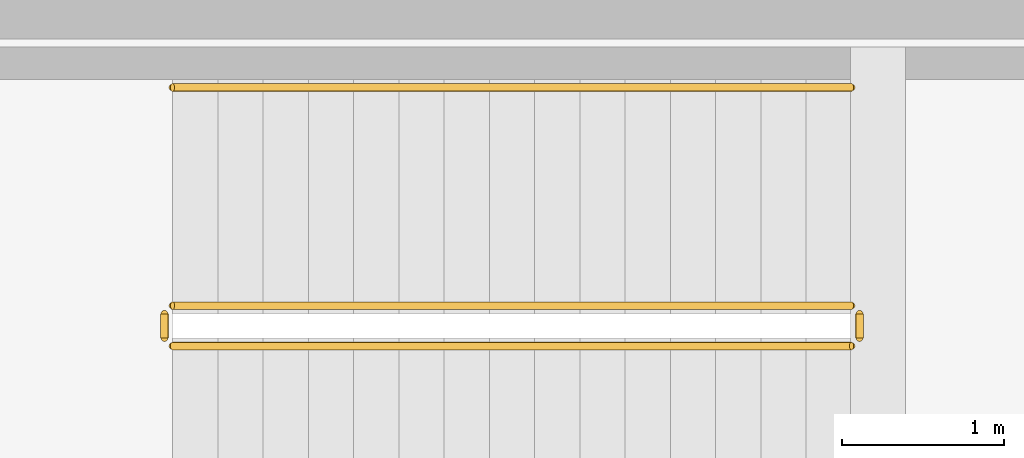
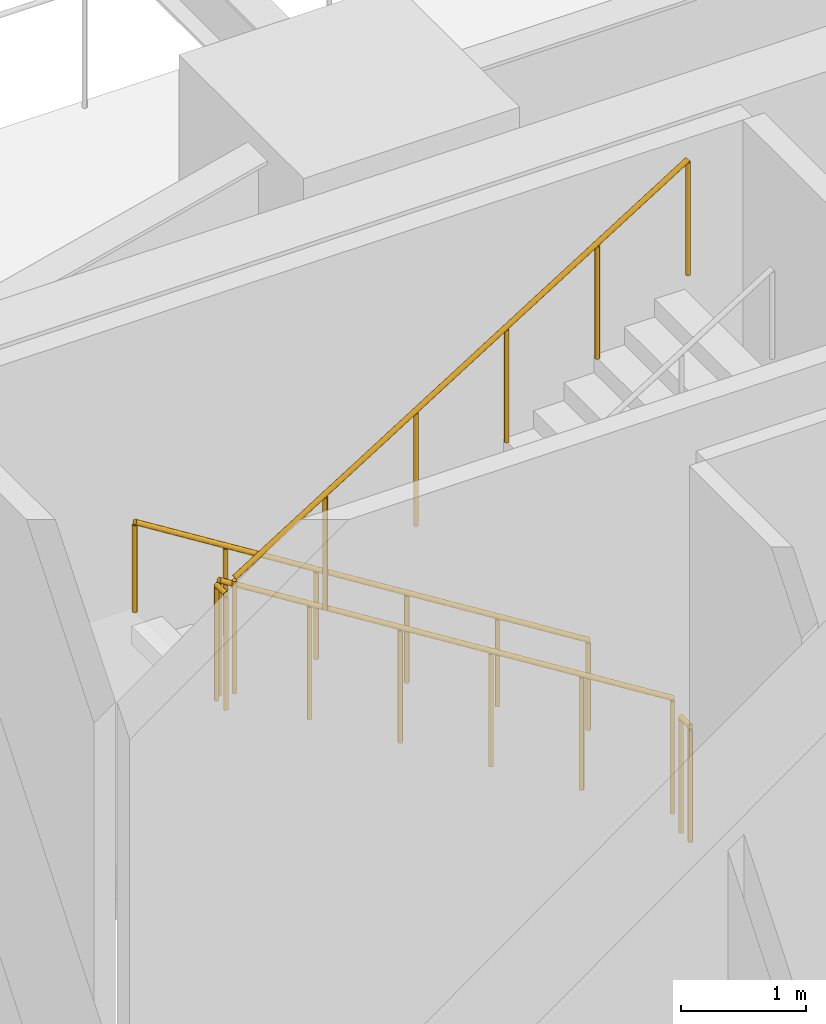
# One storey, part 7 of 8: 5 railings.
"""IFC4 building model written with IfcOpenShell, lengths in metres."""

from ifc_helpers import new_model, si_unit, direction, frame, origin, origin_2d, place, context, subcontext, project, spatial, circle, extrude, material, type_object, element, save


model = new_model("IFC4")

# Units and contexts
model_context = context("Model", 3, precision=1e-05, world=origin(), true_north=direction((0.0, 1.0)))
body_context = subcontext(model_context, "Body", "Model", "MODEL_VIEW")
ifc_project = project(units=[si_unit("LENGTHUNIT", "METRE"), si_unit("AREAUNIT", "SQUARE_METRE"), si_unit("VOLUMEUNIT", "CUBIC_METRE"), si_unit("PLANEANGLEUNIT", "RADIAN"), si_unit("MASSUNIT", "GRAM", prefix="KILO")], contexts=[model_context])

# Site, building, storey
site_placement = place(None, origin())
site = spatial("IfcSite", under=ifc_project, at=site_placement, CompositionType="ELEMENT")
building_placement = place(site_placement, origin())
building = spatial("IfcBuilding", under=site, at=building_placement, Name="Kinhvarn Gate Tower", CompositionType="ELEMENT")
storey_placement = place(building_placement, frame((0.0, 0.0, 178.050048828125)))
storey = spatial("IfcBuildingStorey", under=building, at=storey_placement, Name="L47", CompositionType="ELEMENT", Elevation=178.050048828125)

# Railings
ifc_material = material(Name="Steel S355", Category="steel")
railing_type_1 = type_object("IfcRailingType", Name="RL-ST-GRD", PredefinedType="BALUSTRADE", material=ifc_material)
railing_1_placement = place(storey_placement, frame((12.0, 34.300048828125, 0.175048828125)))
element("IfcRailing", 1, at=railing_1_placement, inside=storey, type_object=railing_type_1, Name="L47 ST2 stair guard 1", PredefinedType="BALUSTRADE", context=body_context, shape_type="SweptSolid", body=[
    extrude(circle(Radius=0.02392578125, at=origin_2d()), frame((0.0, 0.0, 1.1259765625), z_axis=(-0.847995534698, 0.0, 0.530003370869), x_axis=(0.0, -1.0, 0.0)), (0.0, 0.0, 1.0), 4.952880859375),
    extrude(circle(Radius=0.02099609375, at=origin_2d()), origin(), (0.0, 0.0, 1.0), 1.101806640625),
    extrude(circle(Radius=0.02099609375, at=origin_2d()), frame((-0.840087890625, 0.0, 0.52490234375)), (0.0, 0.0, 1.0), 1.101806640625),
    extrude(circle(Radius=0.02099609375, at=origin_2d()), frame((-1.679931640625, 0.0, 1.050048828125)), (0.0, 0.0, 1.0), 1.101806640625),
    extrude(circle(Radius=0.02099609375, at=origin_2d()), frame((-2.52001953125, 0.0, 1.574951171875)), (0.0, 0.0, 1.0), 1.101806640625),
    extrude(circle(Radius=0.02099609375, at=origin_2d()), frame((-3.35986328125, 0.0, 2.10009765625)), (0.0, 0.0, 1.0), 1.101806640625),
    extrude(circle(Radius=0.02099609375, at=origin_2d()), frame((-4.199951171875, 0.0, 2.625)), (0.0, 0.0, 1.0), 1.101806640625),
])
railing_2_placement = place(storey_placement, frame((7.75, 34.25, 2.800048828125)))
element("IfcRailing", 2, at=railing_2_placement, inside=storey, type_object=railing_type_1, Name="L47 ST2 stair guard 2", PredefinedType="BALUSTRADE", context=body_context, shape_type="SweptSolid", body=[
    extrude(circle(Radius=0.02392578125, at=origin_2d()), frame((0.0, 0.0, 1.1259765625), z_axis=(0.0, -1.0, 0.0), x_axis=(1.0, 0.0, 0.0)), (0.0, 0.0, 1.0), 0.14990234375),
    extrude(circle(Radius=0.02099609375, at=origin_2d()), origin(), (0.0, 0.0, 1.0), 1.101806640625),
    extrude(circle(Radius=0.02099609375, at=origin_2d()), frame((0.0, -0.14990234375, 0.0)), (0.0, 0.0, 1.0), 1.101806640625),
])
railing_3_placement = place(storey_placement, frame((7.800048828125, 34.050048828125, 2.974853515625)))
element("IfcRailing", 3, at=railing_3_placement, inside=storey, type_object=railing_type_1, Name="L47 ST2 stair guard 3", PredefinedType="BALUSTRADE", context=body_context, shape_type="SweptSolid", body=[
    extrude(circle(Radius=0.02392578125, at=origin_2d()), frame((0.0, 0.0, 1.1259765625), z_axis=(0.847995534698, 0.0, 0.530003370869), x_axis=(0.0, 1.0, 0.0)), (0.0, 0.0, 1.0), 4.952880859375),
    extrude(circle(Radius=0.02099609375, at=origin_2d()), origin(), (0.0, 0.0, 1.0), 1.101806640625),
    extrude(circle(Radius=0.02099609375, at=origin_2d()), frame((0.840087890625, 0.0, 0.52490234375)), (0.0, 0.0, 1.0), 1.101806640625),
    extrude(circle(Radius=0.02099609375, at=origin_2d()), frame((1.679931640625, 0.0, 1.050048828125)), (0.0, 0.0, 1.0), 1.101806640625),
    extrude(circle(Radius=0.02099609375, at=origin_2d()), frame((2.52001953125, 0.0, 1.574951171875)), (0.0, 0.0, 1.0), 1.101806640625),
    extrude(circle(Radius=0.02099609375, at=origin_2d()), frame((3.35986328125, 0.0, 2.10009765625)), (0.0, 0.0, 1.0), 1.101806640625),
    extrude(circle(Radius=0.02099609375, at=origin_2d()), frame((4.199951171875, 0.0, 2.625)), (0.0, 0.0, 1.0), 1.101806640625),
])
railing_4_placement = place(storey_placement, frame((12.050048828125, 34.25, 0.0)))
element("IfcRailing", 4, at=railing_4_placement, inside=storey, type_object=railing_type_1, Name="L47 ST2 stair guard 4", PredefinedType="BALUSTRADE", context=body_context, shape_type="SweptSolid", body=[
    extrude(circle(Radius=0.02392578125, at=origin_2d()), frame((0.0, 0.0, 1.1259765625), z_axis=(0.0, -1.0, 0.0), x_axis=(1.0, 0.0, 0.0)), (0.0, 0.0, 1.0), 0.14990234375),
    extrude(circle(Radius=0.02099609375, at=origin_2d()), origin(), (0.0, 0.0, 1.0), 1.101806640625),
    extrude(circle(Radius=0.02099609375, at=origin_2d()), frame((0.0, -0.14990234375, 0.0)), (0.0, 0.0, 1.0), 1.101806640625),
])
railing_type_2 = type_object("IfcRailingType", Name="RL-ST-HND", PredefinedType="HANDRAIL", material=ifc_material)
railing_5_placement = place(storey_placement, frame((12.0, 35.64990234375, 0.175048828125)))
element("IfcRailing", 5, at=railing_5_placement, inside=storey, type_object=railing_type_2, Name="L47 ST2 stair handrail 1", PredefinedType="HANDRAIL", context=body_context, shape_type="SweptSolid", body=[
    extrude(circle(Radius=0.02392578125, at=origin_2d()), frame((0.0, 0.0, 0.8759765625), z_axis=(-0.847995534698, 0.0, 0.530003370869), x_axis=(0.0, -1.0, 0.0)), (0.0, 0.0, 1.0), 4.952880859375),
    extrude(circle(Radius=0.02099609375, at=origin_2d()), origin(), (0.0, 0.0, 1.0), 0.851806640625),
    extrude(circle(Radius=0.02099609375, at=origin_2d()), frame((-0.840087890625, 0.0, 0.52490234375)), (0.0, 0.0, 1.0), 0.851806640625),
    extrude(circle(Radius=0.02099609375, at=origin_2d()), frame((-1.679931640625, 0.0, 1.050048828125)), (0.0, 0.0, 1.0), 0.851806640625),
    extrude(circle(Radius=0.02099609375, at=origin_2d()), frame((-2.52001953125, 0.0, 1.574951171875)), (0.0, 0.0, 1.0), 0.851806640625),
    extrude(circle(Radius=0.02099609375, at=origin_2d()), frame((-3.35986328125, 0.0, 2.10009765625)), (0.0, 0.0, 1.0), 0.851806640625),
    extrude(circle(Radius=0.02099609375, at=origin_2d()), frame((-4.199951171875, 0.0, 2.625)), (0.0, 0.0, 1.0), 0.851806640625),
])

save(model, "model.ifc")
